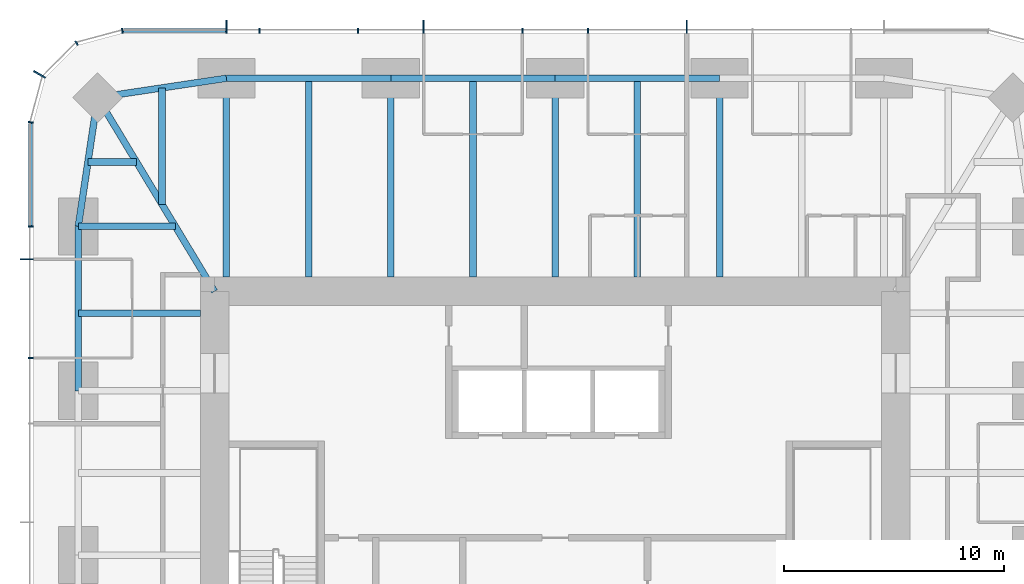
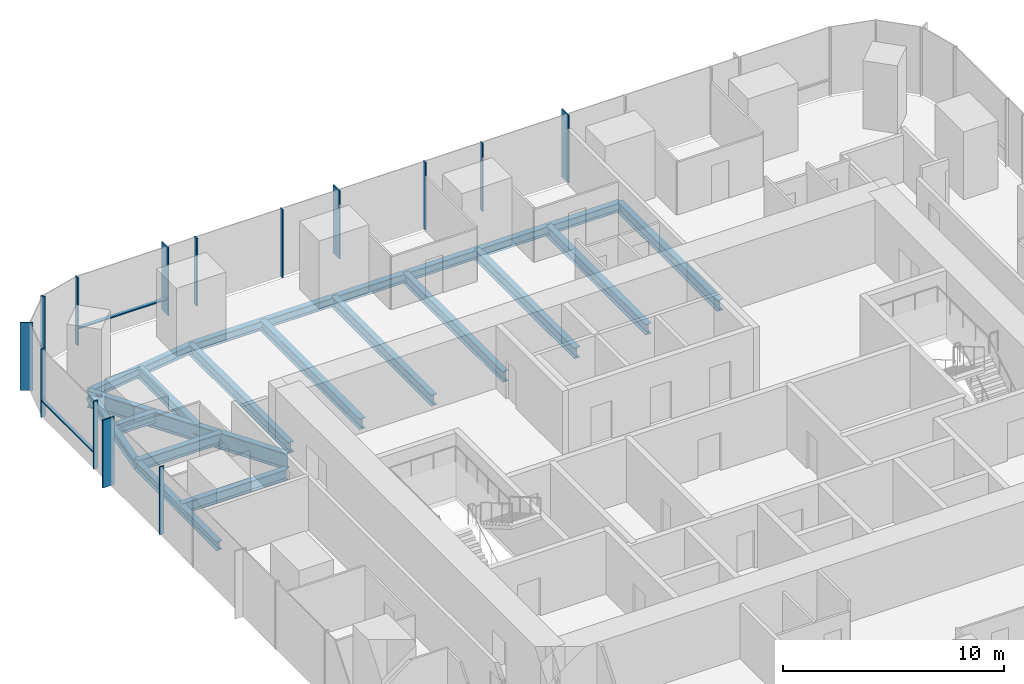
# One storey, part 5 of 12: 18 beams, 16 members, 3 elements without a shape of their own.
"""IFC4 building model written with IfcOpenShell, lengths in metres."""

from ifc_helpers import new_model, si_unit, direction, frame, origin, origin_2d, place, context, subcontext, project, spatial, rectangle, i_section, extrude, material, material_profile, profile_set, type_object, element, aggregate, save


model = new_model("IFC4")

# Units and contexts
model_context = context("Model", 3, precision=1e-05, world=origin(), true_north=direction((0.0, 1.0)))
body_context = subcontext(model_context, "Body", "Model", "MODEL_VIEW")
ifc_project = project(units=[si_unit("LENGTHUNIT", "METRE"), si_unit("AREAUNIT", "SQUARE_METRE"), si_unit("VOLUMEUNIT", "CUBIC_METRE"), si_unit("PLANEANGLEUNIT", "RADIAN"), si_unit("MASSUNIT", "GRAM", prefix="KILO")], contexts=[model_context])

# Site, building, storey
site_placement = place(None, origin())
site = spatial("IfcSite", under=ifc_project, at=site_placement, CompositionType="ELEMENT")
building_placement = place(site_placement, origin())
building = spatial("IfcBuilding", under=site, at=building_placement, Name="Khuree Lantern Residences", CompositionType="ELEMENT")
storey_placement = place(building_placement, frame((0.0, 0.0, 289.5)))
storey = spatial("IfcBuildingStorey", under=building, at=storey_placement, Name="L72", CompositionType="ELEMENT", Elevation=289.5)

# Beams
ifc_material_1 = material(Name="Steel S355", Category="steel")
ifc_material_profile_1 = material_profile(ifc_material_1, i_section(OverallWidth=0.300048828125, OverallDepth=0.590087890625, WebThickness=0.012939453125, FlangeThickness=0.02490234375, FilletRadius=0.027099609375, at=origin_2d()), Name="HE 600 A")
ifc_profile_set_1 = profile_set([ifc_material_profile_1], Name="Steel S355")
beam_type_1 = type_object("IfcBeamType", Name="B-41A SECONDARY BEAM HE 600 A", PredefinedType="BEAM", material=ifc_profile_set_1)
for number, where, z_axis, x_axis, name in (
    (1, (-11.219970703125, 21.699951171875, -0.544921875), (0.0, -1.0, 0.0), (1.0, 0.0, 0.0), "Secondary beam N1"),
    (2, (-3.739990234375, 21.699951171875, -0.544921875), (0.0, -1.0, 0.0), (1.0, 0.0, 0.0), "Secondary beam N2"),
    (3, (3.739990234375, 21.699951171875, -0.544921875), (0.0, -1.0, 0.0), (1.0, 0.0, 0.0), "Secondary beam N3"),
):
    element("IfcBeam", number, at=place(storey_placement, frame(where, z_axis=z_axis, x_axis=x_axis)), inside=storey, type_object=beam_type_1, Name=name, PredefinedType="BEAM", context=body_context, shape_type="SweptSolid", body=[
        extrude(i_section(OverallWidth=0.300048828125, OverallDepth=0.590087890625, WebThickness=0.012939453125, FlangeThickness=0.02490234375, FilletRadius=0.027099609375, at=origin_2d()), origin(), (0.0, 0.0, 1.0), 9.050048828125),
    ])
beam_1_placement = place(storey_placement, frame((-21.699951171875, 11.0, -0.544921875), z_axis=(1.0, 0.0, 0.0), x_axis=(0.0, 1.0, 0.0)))
element("IfcBeam", 4, at=beam_1_placement, inside=storey, type_object=beam_type_1, Name="Secondary beam W5", PredefinedType="BEAM", context=body_context, shape_type="SweptSolid", body=[
    extrude(i_section(OverallWidth=0.300048828125, OverallDepth=0.590087890625, WebThickness=0.012939453125, FlangeThickness=0.02490234375, FilletRadius=0.027099609375, at=origin_2d()), origin(), (0.0, 0.0, 1.0), 5.550048828125),
])
beam_2_placement = place(storey_placement, frame((-21.2607421875, 17.890625, -0.544921875), z_axis=(1.0, 0.0, 0.0), x_axis=(0.0, 1.0, 0.0)))
element("IfcBeam", 5, at=beam_2_placement, inside=storey, type_object=beam_type_1, Name="Secondary beam W6", PredefinedType="BEAM", context=body_context, shape_type="SweptSolid", body=[
    extrude(i_section(OverallWidth=0.300048828125, OverallDepth=0.590087890625, WebThickness=0.012939453125, FlangeThickness=0.02490234375, FilletRadius=0.027099609375, at=origin_2d()), origin(), (0.0, 0.0, 1.0), 2.207275390625),
])
beam_3_placement = place(storey_placement, frame((-17.890625, 21.2607421875, -0.544921875), z_axis=(0.0, -1.0, 0.0), x_axis=(1.0, 0.0, 0.0)))
element("IfcBeam", 6, at=beam_3_placement, inside=storey, type_object=beam_type_1, Name="Secondary beam N6", PredefinedType="BEAM", context=body_context, shape_type="SweptSolid", body=[
    extrude(i_section(OverallWidth=0.300048828125, OverallDepth=0.590087890625, WebThickness=0.012939453125, FlangeThickness=0.02490234375, FilletRadius=0.027099609375, at=origin_2d()), origin(), (0.0, 0.0, 1.0), 5.297607421875),
])
ifc_material_profile_2 = material_profile(ifc_material_1, i_section(OverallWidth=0.300048828125, OverallDepth=0.489990234375, WebThickness=0.011962890625, FlangeThickness=0.02294921875, FilletRadius=0.027099609375, at=origin_2d()), Name="HE 500 A")
ifc_profile_set_2 = profile_set([ifc_material_profile_2], Name="Steel S355")
beam_type_2 = type_object("IfcBeamType", Name="E-41 SPANDREL BEAM HE 500 A", PredefinedType="SPANDREL", material=ifc_profile_set_2)
for number, where, z_axis, x_axis, name in (
    (7, (-14.9599609375, 21.699951171875, -0.4951171875), (1.0, 0.0, 0.0), (0.0, 1.0, 0.0), "Spandrel beam N1"),
    (8, (-7.47998046875, 21.699951171875, -0.4951171875), (1.0, 0.0, 0.0), (0.0, 1.0, 0.0), "Spandrel beam N2"),
    (9, (0.0, 21.699951171875, -0.4951171875), (1.0, 0.0, 0.0), (0.0, 1.0, 0.0), "Spandrel beam N3"),
    (10, (-21.699951171875, 7.47998046875, -0.4951171875), (0.0, 1.0, 0.0), (-1.0, 0.0, 0.0), "Spandrel beam W5"),
):
    element("IfcBeam", number, at=place(storey_placement, frame(where, z_axis=z_axis, x_axis=x_axis)), inside=storey, type_object=beam_type_2, Name=name, PredefinedType="SPANDREL", context=body_context, shape_type="SweptSolid", body=[
        extrude(i_section(OverallWidth=0.300048828125, OverallDepth=0.489990234375, WebThickness=0.011962890625, FlangeThickness=0.02294921875, FilletRadius=0.027099609375, at=origin_2d()), origin(), (0.0, 0.0, 1.0), 7.47998046875),
    ])
for number, where, z_axis, x_axis, name in (
    (11, (-21.699951171875, 14.9599609375, -0.4951171875), (0.148251822985, 0.988949643299, 0.0), (-0.988949643299, 0.148251822985, 0.0), "Spandrel beam W6"),
    (12, (-20.8212890625, 20.8212890625, -0.4951171875), (0.988949643299, 0.148251822985, 0.0), (-0.148251822985, 0.988949643299, 0.0), "Spandrel beam N6"),
):
    element("IfcBeam", number, at=place(storey_placement, frame(where, z_axis=z_axis, x_axis=x_axis)), inside=storey, type_object=beam_type_2, Name=name, PredefinedType="SPANDREL", context=body_context, shape_type="SweptSolid", body=[
        extrude(i_section(OverallWidth=0.300048828125, OverallDepth=0.489990234375, WebThickness=0.011962890625, FlangeThickness=0.02294921875, FilletRadius=0.027099609375, at=origin_2d()), origin(), (0.0, 0.0, 1.0), 5.9267578125),
    ])

# Curtain wall, members
ifc_material_2 = material(Name="Bronze anodised aluminium", Category="aluminium")
curtain_wall_type_1 = type_object("IfcCurtainWallType", Name="CW-T1 TOWER FACE CURTAIN WALL", PredefinedType="USERDEFINED", material=ifc_material_2)
curtain_wall_1_placement = place(storey_placement, origin())
curtain_wall_1 = element("IfcCurtainWall", 13, at=curtain_wall_1_placement, inside=storey, type_object=curtain_wall_type_1, Name="L72 NORTH FACE CURTAIN WALL", ObjectType="Stick-built curtain wall", PredefinedType="USERDEFINED")
ifc_material_profile_3 = material_profile(ifc_material_2, rectangle(XDim=0.06494140625, YDim=0.60009765625, at=origin_2d()), Name="F1 65X600")
ifc_profile_set_3 = profile_set([ifc_material_profile_3], Name="Bronze anodised aluminium")
member_type_1 = type_object("IfcMemberType", Name="F1 BRONZE FIN MULLION TOWER 65X600", PredefinedType="MULLION", material=ifc_profile_set_3)
member_1_placement = place(storey_placement, frame((5.98388671875, 24.050048828125, 0.0), z_axis=(0.0, 0.0, 1.0), x_axis=(-1.0, 0.0, 0.0)))
member_1 = element("IfcMember", 14, at=member_1_placement, type_object=member_type_1, Name="L72 NORTH FACE FIN MULLION 22", PredefinedType="MULLION", context=body_context, shape_type="SweptSolid", body=[
    extrude(rectangle(XDim=0.06494140625, YDim=0.60009765625, at=origin_2d()), origin(), (0.0, 0.0, 1.0), 3.75),
])
member_2_placement = place(storey_placement, frame((-5.98388671875, 24.050048828125, 0.0), z_axis=(0.0, 0.0, 1.0), x_axis=(-1.0, 0.0, 0.0)))
member_2 = element("IfcMember", 15, at=member_2_placement, type_object=member_type_1, Name="L72 NORTH FACE FIN MULLION 25", PredefinedType="MULLION", context=body_context, shape_type="SweptSolid", body=[
    extrude(rectangle(XDim=0.06494140625, YDim=0.60009765625, at=origin_2d()), origin(), (0.0, 0.0, 1.0), 3.75),
])
member_3_placement = place(storey_placement, frame((-14.9599609375, 24.050048828125, 0.0), z_axis=(0.0, 0.0, 1.0), x_axis=(-1.0, 0.0, 0.0)))
member_3 = element("IfcMember", 16, at=member_3_placement, type_object=member_type_1, Name="L72 NORTH FACE FIN MULLION 28", PredefinedType="MULLION", context=body_context, shape_type="SweptSolid", body=[
    extrude(rectangle(XDim=0.06494140625, YDim=0.60009765625, at=origin_2d()), origin(), (0.0, 0.0, 1.0), 3.75),
])

# Curtain wall, member
curtain_wall_type_2 = type_object("IfcCurtainWallType", Name="CW-T2 TOWER CORNER CURTAIN WALL", PredefinedType="USERDEFINED", material=ifc_material_2)
curtain_wall_2_placement = place(storey_placement, origin())
curtain_wall_2 = element("IfcCurtainWall", 17, at=curtain_wall_2_placement, inside=storey, type_object=curtain_wall_type_2, Name="L72 NORTH-WEST CORNER CURTAIN WALL", ObjectType="Faceted corner curtain wall", PredefinedType="USERDEFINED")
member_4_placement = place(storey_placement, frame((-23.46728515625, 21.875, 0.0), z_axis=(0.0, 0.0, 1.0), x_axis=(-0.49999994149, -0.866025437565, 0.0)))
member_4 = element("IfcMember", 18, at=member_4_placement, type_object=member_type_1, Name="L72 NORTH-WEST CORNER FIN MULLION 31", PredefinedType="MULLION", context=body_context, shape_type="SweptSolid", body=[
    extrude(rectangle(XDim=0.06494140625, YDim=0.60009765625, at=origin_2d()), origin(), (0.0, 0.0, 1.0), 3.75),
])

curtain_wall_3_placement = place(storey_placement, origin())
curtain_wall_3 = element("IfcCurtainWall", 19, at=curtain_wall_3_placement, inside=storey, type_object=curtain_wall_type_1, Name="L72 WEST FACE CURTAIN WALL", ObjectType="Stick-built curtain wall", PredefinedType="USERDEFINED")
member_5_placement = place(storey_placement, frame((-24.050048828125, 13.464111328125, 0.0), z_axis=(0.0, 0.0, 1.0), x_axis=(0.0, -1.0, 0.0)))
member_5 = element("IfcMember", 20, at=member_5_placement, type_object=member_type_1, Name="L72 WEST FACE FIN MULLION 34", PredefinedType="MULLION", context=body_context, shape_type="SweptSolid", body=[
    extrude(rectangle(XDim=0.06494140625, YDim=0.60009765625, at=origin_2d()), origin(), (0.0, 0.0, 1.0), 3.75),
])

# Beams
ifc_material_profile_4 = material_profile(ifc_material_1, i_section(OverallWidth=0.300048828125, OverallDepth=0.60009765625, WebThickness=0.015380859375, FlangeThickness=0.030029296875, FilletRadius=0.027099609375, at=origin_2d()), Name="HE 600 B")
ifc_profile_set_4 = profile_set([ifc_material_profile_4], Name="Steel S355")
beam_type_3 = type_object("IfcBeamType", Name="G-41 GIRDER HE 600 B", PredefinedType="BEAM", material=ifc_profile_set_4)
for number, where, z_axis, x_axis, name in (
    (21, (-14.9599609375, 21.699951171875, -0.550048828125), (0.0, -1.0, 0.0), (1.0, 0.0, 0.0), "Girder N1"),
    (22, (-7.47998046875, 21.699951171875, -0.550048828125), (0.0, -1.0, 0.0), (1.0, 0.0, 0.0), "Girder N2"),
    (23, (0.0, 21.699951171875, -0.550048828125), (0.0, -1.0, 0.0), (1.0, 0.0, 0.0), "Girder N3"),
    (24, (7.47998046875, 21.699951171875, -0.550048828125), (0.0, -1.0, 0.0), (1.0, 0.0, 0.0), "Girder N4"),
):
    element("IfcBeam", number, at=place(storey_placement, frame(where, z_axis=z_axis, x_axis=x_axis)), inside=storey, type_object=beam_type_3, Name=name, PredefinedType="BEAM", context=body_context, shape_type="SweptSolid", body=[
        extrude(i_section(OverallWidth=0.300048828125, OverallDepth=0.60009765625, WebThickness=0.015380859375, FlangeThickness=0.030029296875, FilletRadius=0.027099609375, at=origin_2d()), origin(), (0.0, 0.0, 1.0), 9.050048828125),
    ])
beam_4_placement = place(storey_placement, frame((-21.699951171875, 14.9599609375, -0.550048828125), z_axis=(1.0, 0.0, 0.0), x_axis=(0.0, 1.0, 0.0)))
element("IfcBeam", 25, at=beam_4_placement, inside=storey, type_object=beam_type_3, Name="Girder W5", PredefinedType="BEAM", context=body_context, shape_type="SweptSolid", body=[
    extrude(i_section(OverallWidth=0.300048828125, OverallDepth=0.60009765625, WebThickness=0.015380859375, FlangeThickness=0.030029296875, FilletRadius=0.027099609375, at=origin_2d()), origin(), (0.0, 0.0, 1.0), 4.414306640625),
])
ifc_material_profile_5 = material_profile(ifc_material_1, i_section(OverallWidth=0.300048828125, OverallDepth=0.89990234375, WebThickness=0.0185546875, FlangeThickness=0.034912109375, FilletRadius=0.030029296875, at=origin_2d()), Name="HE 900 B")
ifc_profile_set_5 = profile_set([ifc_material_profile_5], Name="Steel S355")
beam_type_4 = type_object("IfcBeamType", Name="GD-41 CORNER GIRDER HE 900 B", PredefinedType="BEAM", material=ifc_profile_set_5)
beam_5_placement = place(storey_placement, frame((-20.8212890625, 20.8212890625, -0.699951171875), z_axis=(0.516529577604, -0.856269347495, 0.0), x_axis=(0.856269347495, 0.516529577604, 0.0)))
element("IfcBeam", 26, at=beam_5_placement, inside=storey, type_object=beam_type_4, Name="Corner girder NW", PredefinedType="BEAM", context=body_context, shape_type="SweptSolid", body=[
    extrude(i_section(OverallWidth=0.300048828125, OverallDepth=0.89990234375, WebThickness=0.0185546875, FlangeThickness=0.034912109375, FilletRadius=0.030029296875, at=origin_2d()), origin(), (0.0, 0.0, 1.0), 10.302001953125),
])

# Member
ifc_material_profile_6 = material_profile(ifc_material_2, rectangle(XDim=0.06494140625, YDim=0.219970703125, at=origin_2d()), Name="M1 65X220")
ifc_profile_set_6 = profile_set([ifc_material_profile_6], Name="Bronze anodised aluminium")
member_type_2 = type_object("IfcMemberType", Name="M1 BRONZE MULLION TOWER 65X220", PredefinedType="MULLION", material=ifc_profile_set_6)
member_6_placement = place(storey_placement, frame((1.49609375, 23.860107421875, 0.0), z_axis=(0.0, 0.0, 1.0), x_axis=(-1.0, 0.0, 0.0)))
member_6 = element("IfcMember", 27, at=member_6_placement, type_object=member_type_2, Name="L72 NORTH FACE MULLION 23", PredefinedType="MULLION", context=body_context, shape_type="SweptSolid", body=[
    extrude(rectangle(XDim=0.06494140625, YDim=0.219970703125, at=origin_2d()), origin(), (0.0, 0.0, 1.0), 3.75),
])

member_7_placement = place(storey_placement, frame((-1.49609375, 23.860107421875, 0.0), z_axis=(0.0, 0.0, 1.0), x_axis=(-1.0, 0.0, 0.0)))
member_7 = element("IfcMember", 28, at=member_7_placement, type_object=member_type_2, Name="L72 NORTH FACE MULLION 24", PredefinedType="MULLION", context=body_context, shape_type="SweptSolid", body=[
    extrude(rectangle(XDim=0.06494140625, YDim=0.219970703125, at=origin_2d()), origin(), (0.0, 0.0, 1.0), 3.75),
])

member_8_placement = place(storey_placement, frame((-8.97607421875, 23.860107421875, 0.0), z_axis=(0.0, 0.0, 1.0), x_axis=(-1.0, 0.0, 0.0)))
member_8 = element("IfcMember", 29, at=member_8_placement, type_object=member_type_2, Name="L72 NORTH FACE MULLION 26", PredefinedType="MULLION", context=body_context, shape_type="SweptSolid", body=[
    extrude(rectangle(XDim=0.06494140625, YDim=0.219970703125, at=origin_2d()), origin(), (0.0, 0.0, 1.0), 3.75),
])

member_9_placement = place(storey_placement, frame((-13.464111328125, 23.860107421875, 0.0), z_axis=(0.0, 0.0, 1.0), x_axis=(-1.0, 0.0, 0.0)))
member_9 = element("IfcMember", 30, at=member_9_placement, type_object=member_type_2, Name="L72 NORTH FACE MULLION 27", PredefinedType="MULLION", context=body_context, shape_type="SweptSolid", body=[
    extrude(rectangle(XDim=0.06494140625, YDim=0.219970703125, at=origin_2d()), origin(), (0.0, 0.0, 1.0), 3.75),
])

member_10_placement = place(storey_placement, frame((-19.695068359375, 23.86181640625, 0.0), z_axis=(0.0, 0.0, 1.0), x_axis=(-0.991444870192, -0.130526125236, 0.0)))
member_10 = element("IfcMember", 31, at=member_10_placement, type_object=member_type_2, Name="L72 NORTH-WEST CORNER MULLION 29", PredefinedType="MULLION", context=body_context, shape_type="SweptSolid", body=[
    extrude(rectangle(XDim=0.06494140625, YDim=0.219970703125, at=origin_2d()), origin(), (0.0, 0.0, 1.0), 3.75),
])

member_11_placement = place(storey_placement, frame((-21.780029296875, 23.302734375, 0.0), z_axis=(0.0, 0.0, 1.0), x_axis=(-0.866025437565, -0.49999994149, 0.0)))
member_11 = element("IfcMember", 32, at=member_11_placement, type_object=member_type_2, Name="L72 NORTH-WEST CORNER MULLION 30", PredefinedType="MULLION", context=body_context, shape_type="SweptSolid", body=[
    extrude(rectangle(XDim=0.06494140625, YDim=0.219970703125, at=origin_2d()), origin(), (0.0, 0.0, 1.0), 3.75),
])

aggregate(curtain_wall_2, [member_10, member_11, member_4])

member_12_placement = place(storey_placement, frame((-23.86181640625, 19.695068359375, 0.0), z_axis=(0.0, 0.0, 1.0), x_axis=(-0.130526125236, -0.991444870192, 0.0)))
member_12 = element("IfcMember", 33, at=member_12_placement, type_object=member_type_2, Name="L72 WEST FACE MULLION 32", PredefinedType="MULLION", context=body_context, shape_type="SweptSolid", body=[
    extrude(rectangle(XDim=0.06494140625, YDim=0.219970703125, at=origin_2d()), origin(), (0.0, 0.0, 1.0), 3.75),
])

member_13_placement = place(storey_placement, frame((-23.860107421875, 14.9599609375, 0.0), z_axis=(0.0, 0.0, 1.0), x_axis=(0.0, -1.0, 0.0)))
member_13 = element("IfcMember", 34, at=member_13_placement, type_object=member_type_2, Name="L72 WEST FACE MULLION 33", PredefinedType="MULLION", context=body_context, shape_type="SweptSolid", body=[
    extrude(rectangle(XDim=0.06494140625, YDim=0.219970703125, at=origin_2d()), origin(), (0.0, 0.0, 1.0), 3.75),
])

member_14_placement = place(storey_placement, frame((-23.860107421875, 8.97607421875, 0.0), z_axis=(0.0, 0.0, 1.0), x_axis=(0.0, -1.0, 0.0)))
member_14 = element("IfcMember", 35, at=member_14_placement, type_object=member_type_2, Name="L72 WEST FACE MULLION 35", PredefinedType="MULLION", context=body_context, shape_type="SweptSolid", body=[
    extrude(rectangle(XDim=0.06494140625, YDim=0.219970703125, at=origin_2d()), origin(), (0.0, 0.0, 1.0), 3.75),
])

ifc_material_profile_7 = material_profile(ifc_material_2, rectangle(XDim=0.179931640625, YDim=0.06494140625, at=origin_2d()), Name="T1 180X65")
ifc_profile_set_7 = profile_set([ifc_material_profile_7], Name="Bronze anodised aluminium")
member_type_3 = type_object("IfcMemberType", Name="TRANSOM T1 TOWER 180X65", PredefinedType="USERDEFINED", material=ifc_profile_set_7)
member_15_placement = place(storey_placement, frame((-14.992431640625, 23.8701171875, 0.89990234375), z_axis=(-1.0, 0.0, 0.0), x_axis=(0.0, -1.0, 0.0)))
member_15 = element("IfcMember", 36, at=member_15_placement, type_object=member_type_3, Name="L72 NORTH FACE TRANSOM 28.1", ObjectType="Transom", PredefinedType="USERDEFINED", context=body_context, shape_type="SweptSolid", body=[
    extrude(rectangle(XDim=0.179931640625, YDim=0.06494140625, at=origin_2d()), origin(), (0.0, 0.0, 1.0), 4.658935546875),
])

aggregate(curtain_wall_1, [member_1, member_6, member_7, member_2, member_8, member_9, member_3, member_15])

member_16_placement = place(storey_placement, frame((-23.8701171875, 19.6513671875, 0.89990234375), z_axis=(0.0, -1.0, 0.0), x_axis=(1.0, 0.0, 0.0)))
member_16 = element("IfcMember", 37, at=member_16_placement, type_object=member_type_3, Name="L72 WEST FACE TRANSOM 32.1", ObjectType="Transom", PredefinedType="USERDEFINED", context=body_context, shape_type="SweptSolid", body=[
    extrude(rectangle(XDim=0.179931640625, YDim=0.06494140625, at=origin_2d()), origin(), (0.0, 0.0, 1.0), 4.658935546875),
])

aggregate(curtain_wall_3, [member_12, member_13, member_5, member_14, member_16])

save(model, "model.ifc")
